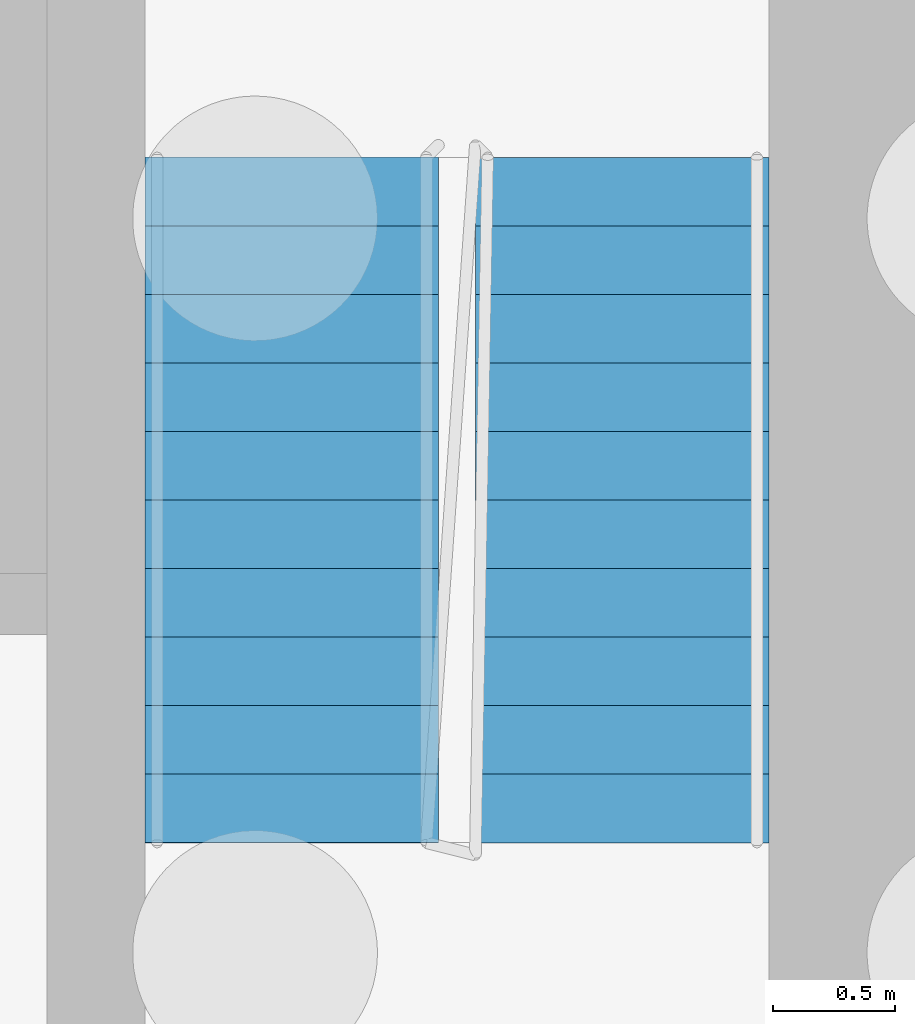
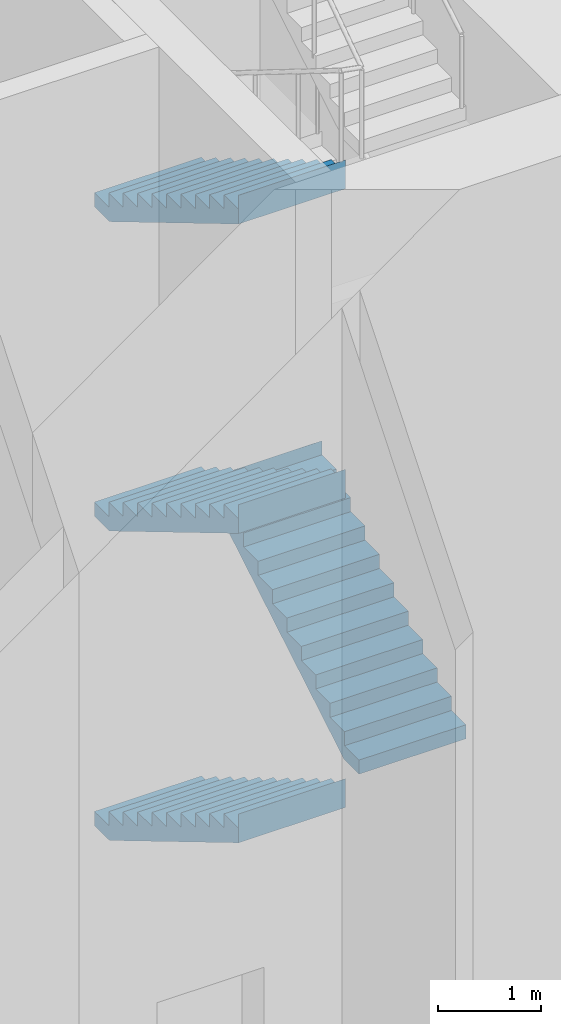
# One storey, part 13 of 26: 4 stair flights, 1 element without a shape of its own.
"""IFC4 building model written with IfcOpenShell, lengths in metres."""

from ifc_helpers import new_model, si_unit, direction, frame, origin, place, context, subcontext, project, spatial, faceted_brep, material, type_object, element, aggregate, save


model = new_model("IFC4")

# Units and contexts
model_context = context("Model", 3, precision=1e-05, world=origin(), true_north=direction((0.0, 1.0)))
body_context = subcontext(model_context, "Body", "Model", "MODEL_VIEW")
ifc_project = project(units=[si_unit("LENGTHUNIT", "METRE"), si_unit("AREAUNIT", "SQUARE_METRE"), si_unit("VOLUMEUNIT", "CUBIC_METRE"), si_unit("PLANEANGLEUNIT", "RADIAN"), si_unit("MASSUNIT", "GRAM", prefix="KILO")], contexts=[model_context])

# Site, building, storey
site_placement = place(None, origin())
site = spatial("IfcSite", under=ifc_project, at=site_placement, CompositionType="ELEMENT")
building_placement = place(site_placement, origin())
building = spatial("IfcBuilding", under=site, at=building_placement, Name="Kajstack Hotel Tower", CompositionType="ELEMENT")
storey_placement = place(building_placement, origin())
storey = spatial("IfcBuildingStorey", under=building, at=storey_placement, Name="L00", CompositionType="ELEMENT", Elevation=0.0)

# Stair, stair flights
ifc_material = material(Name="Concrete C40/50", Category="concrete")
stair_type = type_object("IfcStairType", Name="Exit stair 1200", PredefinedType="HALF_TURN_STAIR", material=ifc_material)
stair_placement = place(storey_placement, origin())
stair = element("IfcStair", 1, at=stair_placement, inside=storey, type_object=stair_type, Name="L00 stair W2", PredefinedType="HALF_TURN_STAIR")
stair_flight_type = type_object("IfcStairFlightType", Name="Exit stair flight 1200", PredefinedType="STRAIGHT", material=ifc_material)
stair_flight_1_placement = place(storey_placement, frame((-16.35009765625, -10.0, 0.0), z_axis=(0.0, 0.0, 1.0), x_axis=(0.0, -1.0, 0.0)))
stair_flight_1 = element("IfcStairFlight", 2, at=stair_flight_1_placement, type_object=stair_flight_type, Name="W2 flight 1", NumberOfRisers=11, NumberOfTreads=10, PredefinedType="STRAIGHT", RiserHeight=0.166666667, TreadLength=0.28, context=body_context, shape_type="Brep", body=[
    faceted_brep([(0.29345703125, -0.60009765625, 0.0), (2.800537109375, -0.60009765625, 1.4921875), (2.800537109375, -0.60009765625, 1.833251953125), (2.800048828125, -0.60009765625, 1.833251953125), (2.800048828125, -0.60009765625, 1.666748046875), (2.52001953125, -0.60009765625, 1.666748046875), (2.52001953125, -0.60009765625, 1.5), (2.239990234375, -0.60009765625, 1.5), (2.239990234375, -0.60009765625, 1.333251953125), (1.9599609375, -0.60009765625, 1.333251953125), (1.9599609375, -0.60009765625, 1.166748046875), (1.679931640625, -0.60009765625, 1.166748046875), (1.679931640625, -0.60009765625, 1.0), (1.39990234375, -0.60009765625, 1.0), (1.39990234375, -0.60009765625, 0.833251953125), (1.1201171875, -0.60009765625, 0.833251953125), (1.1201171875, -0.60009765625, 0.666748046875), (0.840087890625, -0.60009765625, 0.666748046875), (0.840087890625, -0.60009765625, 0.5), (0.56005859375, -0.60009765625, 0.5), (0.56005859375, -0.60009765625, 0.333251953125), (0.280029296875, -0.60009765625, 0.333251953125), (0.280029296875, -0.60009765625, 0.166748046875), (-0.00048828125, -0.60009765625, 0.166748046875), (-0.00048828125, -0.60009765625, 0.0), (-0.00048828125, 0.60009765625, 0.0), (-0.00048828125, 0.60009765625, 0.166748046875), (0.280029296875, 0.60009765625, 0.166748046875), (0.280029296875, 0.60009765625, 0.333251953125), (0.56005859375, 0.60009765625, 0.333251953125), (0.56005859375, 0.60009765625, 0.5), (0.840087890625, 0.60009765625, 0.5), (0.840087890625, 0.60009765625, 0.666748046875), (1.1201171875, 0.60009765625, 0.666748046875), (1.1201171875, 0.60009765625, 0.833251953125), (1.39990234375, 0.60009765625, 0.833251953125), (1.39990234375, 0.60009765625, 1.0), (1.679931640625, 0.60009765625, 1.0), (1.679931640625, 0.60009765625, 1.166748046875), (1.9599609375, 0.60009765625, 1.166748046875), (1.9599609375, 0.60009765625, 1.333251953125), (2.239990234375, 0.60009765625, 1.333251953125), (2.239990234375, 0.60009765625, 1.5), (2.52001953125, 0.60009765625, 1.5), (2.52001953125, 0.60009765625, 1.666748046875), (2.800048828125, 0.60009765625, 1.666748046875), (2.800048828125, 0.60009765625, 1.833251953125), (2.800537109375, 0.60009765625, 1.833251953125), (2.800537109375, 0.60009765625, 1.4921875), (0.29345703125, 0.60009765625, 0.0), (-0.00048828125, -0.300048828125, 0.166748046875), (-0.00048828125, 0.0, 0.166748046875), (-0.00048828125, 0.300048828125, 0.166748046875), (-0.00048828125, 0.300048828125, 0.0), (-0.00048828125, 0.0, 0.0), (-0.00048828125, -0.300048828125, 0.0), (0.280029296875, -0.300048828125, 0.166748046875), (0.280029296875, 0.0, 0.166748046875), (0.280029296875, 0.300048828125, 0.166748046875), (0.280029296875, -0.300048828125, 0.333251953125), (0.280029296875, 0.0, 0.333251953125), (0.280029296875, 0.300048828125, 0.333251953125), (0.56005859375, -0.300048828125, 0.333251953125), (0.56005859375, 0.0, 0.333251953125), (0.56005859375, 0.300048828125, 0.333251953125), (0.56005859375, -0.300048828125, 0.5), (0.56005859375, 0.0, 0.5), (0.56005859375, 0.300048828125, 0.5), (0.840087890625, -0.300048828125, 0.5), (0.840087890625, 0.0, 0.5), (0.840087890625, 0.300048828125, 0.5), (0.840087890625, -0.300048828125, 0.666748046875), (0.840087890625, 0.0, 0.666748046875), (0.840087890625, 0.300048828125, 0.666748046875), (1.1201171875, -0.300048828125, 0.666748046875), (1.1201171875, 0.0, 0.666748046875), (1.1201171875, 0.300048828125, 0.666748046875), (1.1201171875, -0.300048828125, 0.833251953125), (1.1201171875, 0.0, 0.833251953125), (1.1201171875, 0.300048828125, 0.833251953125), (1.39990234375, -0.300048828125, 0.833251953125), (1.39990234375, 0.0, 0.833251953125), (1.39990234375, 0.300048828125, 0.833251953125), (1.39990234375, -0.300048828125, 1.0), (1.39990234375, 0.0, 1.0), (1.39990234375, 0.300048828125, 1.0), (1.679931640625, -0.300048828125, 1.0), (1.679931640625, 0.0, 1.0), (1.679931640625, 0.300048828125, 1.0), (1.679931640625, -0.300048828125, 1.166748046875), (1.679931640625, 0.0, 1.166748046875), (1.679931640625, 0.300048828125, 1.166748046875), (1.9599609375, -0.300048828125, 1.166748046875), (1.9599609375, 0.0, 1.166748046875), (1.9599609375, 0.300048828125, 1.166748046875), (1.9599609375, -0.300048828125, 1.333251953125), (1.9599609375, 0.0, 1.333251953125), (1.9599609375, 0.300048828125, 1.333251953125), (2.239990234375, -0.300048828125, 1.333251953125), (2.239990234375, 0.0, 1.333251953125), (2.239990234375, 0.300048828125, 1.333251953125), (2.239990234375, -0.300048828125, 1.5), (2.239990234375, 0.0, 1.5), (2.239990234375, 0.300048828125, 1.5), (2.52001953125, -0.300048828125, 1.5), (2.52001953125, 0.0, 1.5), (2.52001953125, 0.300048828125, 1.5), (2.52001953125, -0.300048828125, 1.666748046875), (2.52001953125, 0.0, 1.666748046875), (2.52001953125, 0.300048828125, 1.666748046875), (2.800048828125, -0.300048828125, 1.666748046875), (2.800048828125, 0.0, 1.666748046875), (2.800048828125, 0.300048828125, 1.666748046875), (2.800048828125, -0.300048828125, 1.833251953125), (2.800048828125, 0.0, 1.833251953125), (2.800048828125, 0.300048828125, 1.833251953125), (2.800537109375, -0.300048828125, 1.833251953125), (2.800537109375, 0.0, 1.833251953125), (2.800537109375, 0.300048828125, 1.833251953125), (2.800537109375, -0.300048828125, 1.4921875), (2.800537109375, 0.0, 1.4921875), (2.800537109375, 0.300048828125, 1.4921875), (0.29345703125, -0.300048828125, 0.0), (0.29345703125, 0.0, 0.0), (0.29345703125, 0.300048828125, 0.0)], [[[0, 1, 2, 3, 4, 5, 6, 7, 8, 9, 10, 11, 12, 13, 14, 15, 16, 17, 18, 19, 20, 21, 22, 23, 24]], [[25, 26, 27, 28, 29, 30, 31, 32, 33, 34, 35, 36, 37, 38, 39, 40, 41, 42, 43, 44, 45, 46, 47, 48, 49]], [[23, 50, 51, 52, 26, 25, 53, 54, 55, 24]], [[22, 56, 57, 58, 27, 26, 52, 51, 50, 23]], [[21, 59, 60, 61, 28, 27, 58, 57, 56, 22]], [[20, 62, 63, 64, 29, 28, 61, 60, 59, 21]], [[19, 65, 66, 67, 30, 29, 64, 63, 62, 20]], [[18, 68, 69, 70, 31, 30, 67, 66, 65, 19]], [[17, 71, 72, 73, 32, 31, 70, 69, 68, 18]], [[16, 74, 75, 76, 33, 32, 73, 72, 71, 17]], [[15, 77, 78, 79, 34, 33, 76, 75, 74, 16]], [[14, 80, 81, 82, 35, 34, 79, 78, 77, 15]], [[13, 83, 84, 85, 36, 35, 82, 81, 80, 14]], [[12, 86, 87, 88, 37, 36, 85, 84, 83, 13]], [[11, 89, 90, 91, 38, 37, 88, 87, 86, 12]], [[10, 92, 93, 94, 39, 38, 91, 90, 89, 11]], [[9, 95, 96, 97, 40, 39, 94, 93, 92, 10]], [[8, 98, 99, 100, 41, 40, 97, 96, 95, 9]], [[7, 101, 102, 103, 42, 41, 100, 99, 98, 8]], [[6, 104, 105, 106, 43, 42, 103, 102, 101, 7]], [[5, 107, 108, 109, 44, 43, 106, 105, 104, 6]], [[4, 110, 111, 112, 45, 44, 109, 108, 107, 5]], [[3, 113, 114, 115, 46, 45, 112, 111, 110, 4]], [[2, 116, 117, 118, 47, 46, 115, 114, 113, 3]], [[1, 119, 120, 121, 48, 47, 118, 117, 116, 2]], [[0, 122, 123, 124, 49, 48, 121, 120, 119, 1]], [[24, 55, 54, 53, 25, 49, 124, 123, 122, 0]]]),
])
stair_flight_2_placement = place(storey_placement, frame((-15.0, -12.800048828125, 1.833251953125), z_axis=(0.0, 0.0, 1.0), x_axis=(0.0, 1.0, 0.0)))
stair_flight_2 = element("IfcStairFlight", 3, at=stair_flight_2_placement, type_object=stair_flight_type, Name="W2 flight 2", NumberOfRisers=11, NumberOfTreads=10, PredefinedType="STRAIGHT", RiserHeight=0.166666667, TreadLength=0.28, context=body_context, shape_type="Brep", body=[
    faceted_brep([(0.29345703125, -0.60009765625, 0.0), (2.800537109375, -0.60009765625, 1.4921875), (2.800537109375, -0.60009765625, 1.833251953125), (2.800048828125, -0.60009765625, 1.833251953125), (2.800048828125, -0.60009765625, 1.666748046875), (2.52001953125, -0.60009765625, 1.666748046875), (2.52001953125, -0.60009765625, 1.5), (2.239990234375, -0.60009765625, 1.5), (2.239990234375, -0.60009765625, 1.333251953125), (1.9599609375, -0.60009765625, 1.333251953125), (1.9599609375, -0.60009765625, 1.166748046875), (1.679931640625, -0.60009765625, 1.166748046875), (1.679931640625, -0.60009765625, 1.0), (1.39990234375, -0.60009765625, 1.0), (1.39990234375, -0.60009765625, 0.833251953125), (1.1201171875, -0.60009765625, 0.833251953125), (1.1201171875, -0.60009765625, 0.666748046875), (0.840087890625, -0.60009765625, 0.666748046875), (0.840087890625, -0.60009765625, 0.5), (0.56005859375, -0.60009765625, 0.5), (0.56005859375, -0.60009765625, 0.333251953125), (0.280029296875, -0.60009765625, 0.333251953125), (0.280029296875, -0.60009765625, 0.166748046875), (-0.00048828125, -0.60009765625, 0.166748046875), (-0.00048828125, -0.60009765625, 0.0), (-0.00048828125, 0.60009765625, 0.0), (-0.00048828125, 0.60009765625, 0.166748046875), (0.280029296875, 0.60009765625, 0.166748046875), (0.280029296875, 0.60009765625, 0.333251953125), (0.56005859375, 0.60009765625, 0.333251953125), (0.56005859375, 0.60009765625, 0.5), (0.840087890625, 0.60009765625, 0.5), (0.840087890625, 0.60009765625, 0.666748046875), (1.1201171875, 0.60009765625, 0.666748046875), (1.1201171875, 0.60009765625, 0.833251953125), (1.39990234375, 0.60009765625, 0.833251953125), (1.39990234375, 0.60009765625, 1.0), (1.679931640625, 0.60009765625, 1.0), (1.679931640625, 0.60009765625, 1.166748046875), (1.9599609375, 0.60009765625, 1.166748046875), (1.9599609375, 0.60009765625, 1.333251953125), (2.239990234375, 0.60009765625, 1.333251953125), (2.239990234375, 0.60009765625, 1.5), (2.52001953125, 0.60009765625, 1.5), (2.52001953125, 0.60009765625, 1.666748046875), (2.800048828125, 0.60009765625, 1.666748046875), (2.800048828125, 0.60009765625, 1.833251953125), (2.800537109375, 0.60009765625, 1.833251953125), (2.800537109375, 0.60009765625, 1.4921875), (0.29345703125, 0.60009765625, 0.0), (-0.00048828125, -0.300048828125, 0.166748046875), (-0.00048828125, 0.0, 0.166748046875), (-0.00048828125, 0.300048828125, 0.166748046875), (-0.00048828125, 0.300048828125, 0.0), (-0.00048828125, 0.0, 0.0), (-0.00048828125, -0.300048828125, 0.0), (0.280029296875, -0.300048828125, 0.166748046875), (0.280029296875, 0.0, 0.166748046875), (0.280029296875, 0.300048828125, 0.166748046875), (0.280029296875, -0.300048828125, 0.333251953125), (0.280029296875, 0.0, 0.333251953125), (0.280029296875, 0.300048828125, 0.333251953125), (0.56005859375, -0.300048828125, 0.333251953125), (0.56005859375, 0.0, 0.333251953125), (0.56005859375, 0.300048828125, 0.333251953125), (0.56005859375, -0.300048828125, 0.5), (0.56005859375, 0.0, 0.5), (0.56005859375, 0.300048828125, 0.5), (0.840087890625, -0.300048828125, 0.5), (0.840087890625, 0.0, 0.5), (0.840087890625, 0.300048828125, 0.5), (0.840087890625, -0.300048828125, 0.666748046875), (0.840087890625, 0.0, 0.666748046875), (0.840087890625, 0.300048828125, 0.666748046875), (1.1201171875, -0.300048828125, 0.666748046875), (1.1201171875, 0.0, 0.666748046875), (1.1201171875, 0.300048828125, 0.666748046875), (1.1201171875, -0.300048828125, 0.833251953125), (1.1201171875, 0.0, 0.833251953125), (1.1201171875, 0.300048828125, 0.833251953125), (1.39990234375, -0.300048828125, 0.833251953125), (1.39990234375, 0.0, 0.833251953125), (1.39990234375, 0.300048828125, 0.833251953125), (1.39990234375, -0.300048828125, 1.0), (1.39990234375, 0.0, 1.0), (1.39990234375, 0.300048828125, 1.0), (1.679931640625, -0.300048828125, 1.0), (1.679931640625, 0.0, 1.0), (1.679931640625, 0.300048828125, 1.0), (1.679931640625, -0.300048828125, 1.166748046875), (1.679931640625, 0.0, 1.166748046875), (1.679931640625, 0.300048828125, 1.166748046875), (1.9599609375, -0.300048828125, 1.166748046875), (1.9599609375, 0.0, 1.166748046875), (1.9599609375, 0.300048828125, 1.166748046875), (1.9599609375, -0.300048828125, 1.333251953125), (1.9599609375, 0.0, 1.333251953125), (1.9599609375, 0.300048828125, 1.333251953125), (2.239990234375, -0.300048828125, 1.333251953125), (2.239990234375, 0.0, 1.333251953125), (2.239990234375, 0.300048828125, 1.333251953125), (2.239990234375, -0.300048828125, 1.5), (2.239990234375, 0.0, 1.5), (2.239990234375, 0.300048828125, 1.5), (2.52001953125, -0.300048828125, 1.5), (2.52001953125, 0.0, 1.5), (2.52001953125, 0.300048828125, 1.5), (2.52001953125, -0.300048828125, 1.666748046875), (2.52001953125, 0.0, 1.666748046875), (2.52001953125, 0.300048828125, 1.666748046875), (2.800048828125, -0.300048828125, 1.666748046875), (2.800048828125, 0.0, 1.666748046875), (2.800048828125, 0.300048828125, 1.666748046875), (2.800048828125, -0.300048828125, 1.833251953125), (2.800048828125, 0.0, 1.833251953125), (2.800048828125, 0.300048828125, 1.833251953125), (2.800537109375, -0.300048828125, 1.833251953125), (2.800537109375, 0.0, 1.833251953125), (2.800537109375, 0.300048828125, 1.833251953125), (2.800537109375, -0.300048828125, 1.4921875), (2.800537109375, 0.0, 1.4921875), (2.800537109375, 0.300048828125, 1.4921875), (0.29345703125, -0.300048828125, 0.0), (0.29345703125, 0.0, 0.0), (0.29345703125, 0.300048828125, 0.0)], [[[0, 1, 2, 3, 4, 5, 6, 7, 8, 9, 10, 11, 12, 13, 14, 15, 16, 17, 18, 19, 20, 21, 22, 23, 24]], [[25, 26, 27, 28, 29, 30, 31, 32, 33, 34, 35, 36, 37, 38, 39, 40, 41, 42, 43, 44, 45, 46, 47, 48, 49]], [[23, 50, 51, 52, 26, 25, 53, 54, 55, 24]], [[22, 56, 57, 58, 27, 26, 52, 51, 50, 23]], [[21, 59, 60, 61, 28, 27, 58, 57, 56, 22]], [[20, 62, 63, 64, 29, 28, 61, 60, 59, 21]], [[19, 65, 66, 67, 30, 29, 64, 63, 62, 20]], [[18, 68, 69, 70, 31, 30, 67, 66, 65, 19]], [[17, 71, 72, 73, 32, 31, 70, 69, 68, 18]], [[16, 74, 75, 76, 33, 32, 73, 72, 71, 17]], [[15, 77, 78, 79, 34, 33, 76, 75, 74, 16]], [[14, 80, 81, 82, 35, 34, 79, 78, 77, 15]], [[13, 83, 84, 85, 36, 35, 82, 81, 80, 14]], [[12, 86, 87, 88, 37, 36, 85, 84, 83, 13]], [[11, 89, 90, 91, 38, 37, 88, 87, 86, 12]], [[10, 92, 93, 94, 39, 38, 91, 90, 89, 11]], [[9, 95, 96, 97, 40, 39, 94, 93, 92, 10]], [[8, 98, 99, 100, 41, 40, 97, 96, 95, 9]], [[7, 101, 102, 103, 42, 41, 100, 99, 98, 8]], [[6, 104, 105, 106, 43, 42, 103, 102, 101, 7]], [[5, 107, 108, 109, 44, 43, 106, 105, 104, 6]], [[4, 110, 111, 112, 45, 44, 109, 108, 107, 5]], [[3, 113, 114, 115, 46, 45, 112, 111, 110, 4]], [[2, 116, 117, 118, 47, 46, 115, 114, 113, 3]], [[1, 119, 120, 121, 48, 47, 118, 117, 116, 2]], [[0, 122, 123, 124, 49, 48, 121, 120, 119, 1]], [[24, 55, 54, 53, 25, 49, 124, 123, 122, 0]]]),
])
stair_flight_3_placement = place(storey_placement, frame((-16.35009765625, -10.0, 3.666748046875), z_axis=(0.0, 0.0, 1.0), x_axis=(0.0, -1.0, 0.0)))
stair_flight_3 = element("IfcStairFlight", 4, at=stair_flight_3_placement, type_object=stair_flight_type, Name="W2 flight 3", NumberOfRisers=11, NumberOfTreads=10, PredefinedType="STRAIGHT", RiserHeight=0.166666667, TreadLength=0.28, context=body_context, shape_type="Brep", body=[
    faceted_brep([(0.29345703125, -0.60009765625, 0.0), (2.800537109375, -0.60009765625, 1.4921875), (2.800537109375, -0.60009765625, 1.833251953125), (2.800048828125, -0.60009765625, 1.833251953125), (2.800048828125, -0.60009765625, 1.666748046875), (2.52001953125, -0.60009765625, 1.666748046875), (2.52001953125, -0.60009765625, 1.5), (2.239990234375, -0.60009765625, 1.5), (2.239990234375, -0.60009765625, 1.333251953125), (1.9599609375, -0.60009765625, 1.333251953125), (1.9599609375, -0.60009765625, 1.166748046875), (1.679931640625, -0.60009765625, 1.166748046875), (1.679931640625, -0.60009765625, 1.0), (1.39990234375, -0.60009765625, 1.0), (1.39990234375, -0.60009765625, 0.833251953125), (1.1201171875, -0.60009765625, 0.833251953125), (1.1201171875, -0.60009765625, 0.666748046875), (0.840087890625, -0.60009765625, 0.666748046875), (0.840087890625, -0.60009765625, 0.5), (0.56005859375, -0.60009765625, 0.5), (0.56005859375, -0.60009765625, 0.333251953125), (0.280029296875, -0.60009765625, 0.333251953125), (0.280029296875, -0.60009765625, 0.166748046875), (-0.00048828125, -0.60009765625, 0.166748046875), (-0.00048828125, -0.60009765625, 0.0), (-0.00048828125, 0.60009765625, 0.0), (-0.00048828125, 0.60009765625, 0.166748046875), (0.280029296875, 0.60009765625, 0.166748046875), (0.280029296875, 0.60009765625, 0.333251953125), (0.56005859375, 0.60009765625, 0.333251953125), (0.56005859375, 0.60009765625, 0.5), (0.840087890625, 0.60009765625, 0.5), (0.840087890625, 0.60009765625, 0.666748046875), (1.1201171875, 0.60009765625, 0.666748046875), (1.1201171875, 0.60009765625, 0.833251953125), (1.39990234375, 0.60009765625, 0.833251953125), (1.39990234375, 0.60009765625, 1.0), (1.679931640625, 0.60009765625, 1.0), (1.679931640625, 0.60009765625, 1.166748046875), (1.9599609375, 0.60009765625, 1.166748046875), (1.9599609375, 0.60009765625, 1.333251953125), (2.239990234375, 0.60009765625, 1.333251953125), (2.239990234375, 0.60009765625, 1.5), (2.52001953125, 0.60009765625, 1.5), (2.52001953125, 0.60009765625, 1.666748046875), (2.800048828125, 0.60009765625, 1.666748046875), (2.800048828125, 0.60009765625, 1.833251953125), (2.800537109375, 0.60009765625, 1.833251953125), (2.800537109375, 0.60009765625, 1.4921875), (0.29345703125, 0.60009765625, 0.0), (-0.00048828125, -0.300048828125, 0.166748046875), (-0.00048828125, 0.0, 0.166748046875), (-0.00048828125, 0.300048828125, 0.166748046875), (-0.00048828125, 0.300048828125, 0.0), (-0.00048828125, 0.0, 0.0), (-0.00048828125, -0.300048828125, 0.0), (0.280029296875, -0.300048828125, 0.166748046875), (0.280029296875, 0.0, 0.166748046875), (0.280029296875, 0.300048828125, 0.166748046875), (0.280029296875, -0.300048828125, 0.333251953125), (0.280029296875, 0.0, 0.333251953125), (0.280029296875, 0.300048828125, 0.333251953125), (0.56005859375, -0.300048828125, 0.333251953125), (0.56005859375, 0.0, 0.333251953125), (0.56005859375, 0.300048828125, 0.333251953125), (0.56005859375, -0.300048828125, 0.5), (0.56005859375, 0.0, 0.5), (0.56005859375, 0.300048828125, 0.5), (0.840087890625, -0.300048828125, 0.5), (0.840087890625, 0.0, 0.5), (0.840087890625, 0.300048828125, 0.5), (0.840087890625, -0.300048828125, 0.666748046875), (0.840087890625, 0.0, 0.666748046875), (0.840087890625, 0.300048828125, 0.666748046875), (1.1201171875, -0.300048828125, 0.666748046875), (1.1201171875, 0.0, 0.666748046875), (1.1201171875, 0.300048828125, 0.666748046875), (1.1201171875, -0.300048828125, 0.833251953125), (1.1201171875, 0.0, 0.833251953125), (1.1201171875, 0.300048828125, 0.833251953125), (1.39990234375, -0.300048828125, 0.833251953125), (1.39990234375, 0.0, 0.833251953125), (1.39990234375, 0.300048828125, 0.833251953125), (1.39990234375, -0.300048828125, 1.0), (1.39990234375, 0.0, 1.0), (1.39990234375, 0.300048828125, 1.0), (1.679931640625, -0.300048828125, 1.0), (1.679931640625, 0.0, 1.0), (1.679931640625, 0.300048828125, 1.0), (1.679931640625, -0.300048828125, 1.166748046875), (1.679931640625, 0.0, 1.166748046875), (1.679931640625, 0.300048828125, 1.166748046875), (1.9599609375, -0.300048828125, 1.166748046875), (1.9599609375, 0.0, 1.166748046875), (1.9599609375, 0.300048828125, 1.166748046875), (1.9599609375, -0.300048828125, 1.333251953125), (1.9599609375, 0.0, 1.333251953125), (1.9599609375, 0.300048828125, 1.333251953125), (2.239990234375, -0.300048828125, 1.333251953125), (2.239990234375, 0.0, 1.333251953125), (2.239990234375, 0.300048828125, 1.333251953125), (2.239990234375, -0.300048828125, 1.5), (2.239990234375, 0.0, 1.5), (2.239990234375, 0.300048828125, 1.5), (2.52001953125, -0.300048828125, 1.5), (2.52001953125, 0.0, 1.5), (2.52001953125, 0.300048828125, 1.5), (2.52001953125, -0.300048828125, 1.666748046875), (2.52001953125, 0.0, 1.666748046875), (2.52001953125, 0.300048828125, 1.666748046875), (2.800048828125, -0.300048828125, 1.666748046875), (2.800048828125, 0.0, 1.666748046875), (2.800048828125, 0.300048828125, 1.666748046875), (2.800048828125, -0.300048828125, 1.833251953125), (2.800048828125, 0.0, 1.833251953125), (2.800048828125, 0.300048828125, 1.833251953125), (2.800537109375, -0.300048828125, 1.833251953125), (2.800537109375, 0.0, 1.833251953125), (2.800537109375, 0.300048828125, 1.833251953125), (2.800537109375, -0.300048828125, 1.4921875), (2.800537109375, 0.0, 1.4921875), (2.800537109375, 0.300048828125, 1.4921875), (0.29345703125, -0.300048828125, 0.0), (0.29345703125, 0.0, 0.0), (0.29345703125, 0.300048828125, 0.0)], [[[0, 1, 2, 3, 4, 5, 6, 7, 8, 9, 10, 11, 12, 13, 14, 15, 16, 17, 18, 19, 20, 21, 22, 23, 24]], [[25, 26, 27, 28, 29, 30, 31, 32, 33, 34, 35, 36, 37, 38, 39, 40, 41, 42, 43, 44, 45, 46, 47, 48, 49]], [[23, 50, 51, 52, 26, 25, 53, 54, 55, 24]], [[22, 56, 57, 58, 27, 26, 52, 51, 50, 23]], [[21, 59, 60, 61, 28, 27, 58, 57, 56, 22]], [[20, 62, 63, 64, 29, 28, 61, 60, 59, 21]], [[19, 65, 66, 67, 30, 29, 64, 63, 62, 20]], [[18, 68, 69, 70, 31, 30, 67, 66, 65, 19]], [[17, 71, 72, 73, 32, 31, 70, 69, 68, 18]], [[16, 74, 75, 76, 33, 32, 73, 72, 71, 17]], [[15, 77, 78, 79, 34, 33, 76, 75, 74, 16]], [[14, 80, 81, 82, 35, 34, 79, 78, 77, 15]], [[13, 83, 84, 85, 36, 35, 82, 81, 80, 14]], [[12, 86, 87, 88, 37, 36, 85, 84, 83, 13]], [[11, 89, 90, 91, 38, 37, 88, 87, 86, 12]], [[10, 92, 93, 94, 39, 38, 91, 90, 89, 11]], [[9, 95, 96, 97, 40, 39, 94, 93, 92, 10]], [[8, 98, 99, 100, 41, 40, 97, 96, 95, 9]], [[7, 101, 102, 103, 42, 41, 100, 99, 98, 8]], [[6, 104, 105, 106, 43, 42, 103, 102, 101, 7]], [[5, 107, 108, 109, 44, 43, 106, 105, 104, 6]], [[4, 110, 111, 112, 45, 44, 109, 108, 107, 5]], [[3, 113, 114, 115, 46, 45, 112, 111, 110, 4]], [[2, 116, 117, 118, 47, 46, 115, 114, 113, 3]], [[1, 119, 120, 121, 48, 47, 118, 117, 116, 2]], [[0, 122, 123, 124, 49, 48, 121, 120, 119, 1]], [[24, 55, 54, 53, 25, 49, 124, 123, 122, 0]]]),
])
stair_flight_4_placement = place(storey_placement, frame((-16.35009765625, -10.0, 7.333251953125), z_axis=(0.0, 0.0, 1.0), x_axis=(0.0, -1.0, 0.0)))
stair_flight_4 = element("IfcStairFlight", 5, at=stair_flight_4_placement, type_object=stair_flight_type, Name="W2 flight 5", NumberOfRisers=11, NumberOfTreads=10, PredefinedType="STRAIGHT", RiserHeight=0.166666667, TreadLength=0.28, context=body_context, shape_type="Brep", body=[
    faceted_brep([(0.29345703125, -0.60009765625, 0.0), (2.800537109375, -0.60009765625, 1.4921875), (2.800537109375, -0.60009765625, 1.833251953125), (2.800048828125, -0.60009765625, 1.833251953125), (2.800048828125, -0.60009765625, 1.666748046875), (2.52001953125, -0.60009765625, 1.666748046875), (2.52001953125, -0.60009765625, 1.5), (2.239990234375, -0.60009765625, 1.5), (2.239990234375, -0.60009765625, 1.333251953125), (1.9599609375, -0.60009765625, 1.333251953125), (1.9599609375, -0.60009765625, 1.166748046875), (1.679931640625, -0.60009765625, 1.166748046875), (1.679931640625, -0.60009765625, 1.0), (1.39990234375, -0.60009765625, 1.0), (1.39990234375, -0.60009765625, 0.833251953125), (1.1201171875, -0.60009765625, 0.833251953125), (1.1201171875, -0.60009765625, 0.666748046875), (0.840087890625, -0.60009765625, 0.666748046875), (0.840087890625, -0.60009765625, 0.5), (0.56005859375, -0.60009765625, 0.5), (0.56005859375, -0.60009765625, 0.333251953125), (0.280029296875, -0.60009765625, 0.333251953125), (0.280029296875, -0.60009765625, 0.166748046875), (-0.00048828125, -0.60009765625, 0.166748046875), (-0.00048828125, -0.60009765625, 0.0), (-0.00048828125, 0.60009765625, 0.0), (-0.00048828125, 0.60009765625, 0.166748046875), (0.280029296875, 0.60009765625, 0.166748046875), (0.280029296875, 0.60009765625, 0.333251953125), (0.56005859375, 0.60009765625, 0.333251953125), (0.56005859375, 0.60009765625, 0.5), (0.840087890625, 0.60009765625, 0.5), (0.840087890625, 0.60009765625, 0.666748046875), (1.1201171875, 0.60009765625, 0.666748046875), (1.1201171875, 0.60009765625, 0.833251953125), (1.39990234375, 0.60009765625, 0.833251953125), (1.39990234375, 0.60009765625, 1.0), (1.679931640625, 0.60009765625, 1.0), (1.679931640625, 0.60009765625, 1.166748046875), (1.9599609375, 0.60009765625, 1.166748046875), (1.9599609375, 0.60009765625, 1.333251953125), (2.239990234375, 0.60009765625, 1.333251953125), (2.239990234375, 0.60009765625, 1.5), (2.52001953125, 0.60009765625, 1.5), (2.52001953125, 0.60009765625, 1.666748046875), (2.800048828125, 0.60009765625, 1.666748046875), (2.800048828125, 0.60009765625, 1.833251953125), (2.800537109375, 0.60009765625, 1.833251953125), (2.800537109375, 0.60009765625, 1.4921875), (0.29345703125, 0.60009765625, 0.0), (-0.00048828125, -0.300048828125, 0.166748046875), (-0.00048828125, 0.0, 0.166748046875), (-0.00048828125, 0.300048828125, 0.166748046875), (-0.00048828125, 0.300048828125, 0.0), (-0.00048828125, 0.0, 0.0), (-0.00048828125, -0.300048828125, 0.0), (0.280029296875, -0.300048828125, 0.166748046875), (0.280029296875, 0.0, 0.166748046875), (0.280029296875, 0.300048828125, 0.166748046875), (0.280029296875, -0.300048828125, 0.333251953125), (0.280029296875, 0.0, 0.333251953125), (0.280029296875, 0.300048828125, 0.333251953125), (0.56005859375, -0.300048828125, 0.333251953125), (0.56005859375, 0.0, 0.333251953125), (0.56005859375, 0.300048828125, 0.333251953125), (0.56005859375, -0.300048828125, 0.5), (0.56005859375, 0.0, 0.5), (0.56005859375, 0.300048828125, 0.5), (0.840087890625, -0.300048828125, 0.5), (0.840087890625, 0.0, 0.5), (0.840087890625, 0.300048828125, 0.5), (0.840087890625, -0.300048828125, 0.666748046875), (0.840087890625, 0.0, 0.666748046875), (0.840087890625, 0.300048828125, 0.666748046875), (1.1201171875, -0.300048828125, 0.666748046875), (1.1201171875, 0.0, 0.666748046875), (1.1201171875, 0.300048828125, 0.666748046875), (1.1201171875, -0.300048828125, 0.833251953125), (1.1201171875, 0.0, 0.833251953125), (1.1201171875, 0.300048828125, 0.833251953125), (1.39990234375, -0.300048828125, 0.833251953125), (1.39990234375, 0.0, 0.833251953125), (1.39990234375, 0.300048828125, 0.833251953125), (1.39990234375, -0.300048828125, 1.0), (1.39990234375, 0.0, 1.0), (1.39990234375, 0.300048828125, 1.0), (1.679931640625, -0.300048828125, 1.0), (1.679931640625, 0.0, 1.0), (1.679931640625, 0.300048828125, 1.0), (1.679931640625, -0.300048828125, 1.166748046875), (1.679931640625, 0.0, 1.166748046875), (1.679931640625, 0.300048828125, 1.166748046875), (1.9599609375, -0.300048828125, 1.166748046875), (1.9599609375, 0.0, 1.166748046875), (1.9599609375, 0.300048828125, 1.166748046875), (1.9599609375, -0.300048828125, 1.333251953125), (1.9599609375, 0.0, 1.333251953125), (1.9599609375, 0.300048828125, 1.333251953125), (2.239990234375, -0.300048828125, 1.333251953125), (2.239990234375, 0.0, 1.333251953125), (2.239990234375, 0.300048828125, 1.333251953125), (2.239990234375, -0.300048828125, 1.5), (2.239990234375, 0.0, 1.5), (2.239990234375, 0.300048828125, 1.5), (2.52001953125, -0.300048828125, 1.5), (2.52001953125, 0.0, 1.5), (2.52001953125, 0.300048828125, 1.5), (2.52001953125, -0.300048828125, 1.666748046875), (2.52001953125, 0.0, 1.666748046875), (2.52001953125, 0.300048828125, 1.666748046875), (2.800048828125, -0.300048828125, 1.666748046875), (2.800048828125, 0.0, 1.666748046875), (2.800048828125, 0.300048828125, 1.666748046875), (2.800048828125, -0.300048828125, 1.833251953125), (2.800048828125, 0.0, 1.833251953125), (2.800048828125, 0.300048828125, 1.833251953125), (2.800537109375, -0.300048828125, 1.833251953125), (2.800537109375, 0.0, 1.833251953125), (2.800537109375, 0.300048828125, 1.833251953125), (2.800537109375, -0.300048828125, 1.4921875), (2.800537109375, 0.0, 1.4921875), (2.800537109375, 0.300048828125, 1.4921875), (0.29345703125, -0.300048828125, 0.0), (0.29345703125, 0.0, 0.0), (0.29345703125, 0.300048828125, 0.0)], [[[0, 1, 2, 3, 4, 5, 6, 7, 8, 9, 10, 11, 12, 13, 14, 15, 16, 17, 18, 19, 20, 21, 22, 23, 24]], [[25, 26, 27, 28, 29, 30, 31, 32, 33, 34, 35, 36, 37, 38, 39, 40, 41, 42, 43, 44, 45, 46, 47, 48, 49]], [[23, 50, 51, 52, 26, 25, 53, 54, 55, 24]], [[22, 56, 57, 58, 27, 26, 52, 51, 50, 23]], [[21, 59, 60, 61, 28, 27, 58, 57, 56, 22]], [[20, 62, 63, 64, 29, 28, 61, 60, 59, 21]], [[19, 65, 66, 67, 30, 29, 64, 63, 62, 20]], [[18, 68, 69, 70, 31, 30, 67, 66, 65, 19]], [[17, 71, 72, 73, 32, 31, 70, 69, 68, 18]], [[16, 74, 75, 76, 33, 32, 73, 72, 71, 17]], [[15, 77, 78, 79, 34, 33, 76, 75, 74, 16]], [[14, 80, 81, 82, 35, 34, 79, 78, 77, 15]], [[13, 83, 84, 85, 36, 35, 82, 81, 80, 14]], [[12, 86, 87, 88, 37, 36, 85, 84, 83, 13]], [[11, 89, 90, 91, 38, 37, 88, 87, 86, 12]], [[10, 92, 93, 94, 39, 38, 91, 90, 89, 11]], [[9, 95, 96, 97, 40, 39, 94, 93, 92, 10]], [[8, 98, 99, 100, 41, 40, 97, 96, 95, 9]], [[7, 101, 102, 103, 42, 41, 100, 99, 98, 8]], [[6, 104, 105, 106, 43, 42, 103, 102, 101, 7]], [[5, 107, 108, 109, 44, 43, 106, 105, 104, 6]], [[4, 110, 111, 112, 45, 44, 109, 108, 107, 5]], [[3, 113, 114, 115, 46, 45, 112, 111, 110, 4]], [[2, 116, 117, 118, 47, 46, 115, 114, 113, 3]], [[1, 119, 120, 121, 48, 47, 118, 117, 116, 2]], [[0, 122, 123, 124, 49, 48, 121, 120, 119, 1]], [[24, 55, 54, 53, 25, 49, 124, 123, 122, 0]]]),
])
aggregate(stair, [stair_flight_1, stair_flight_2, stair_flight_3, stair_flight_4])

save(model, "model.ifc")
